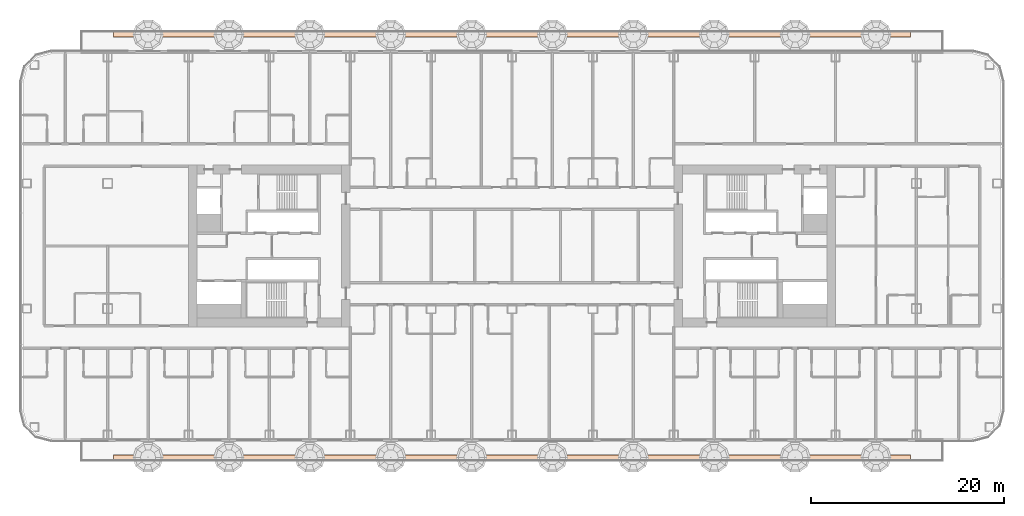
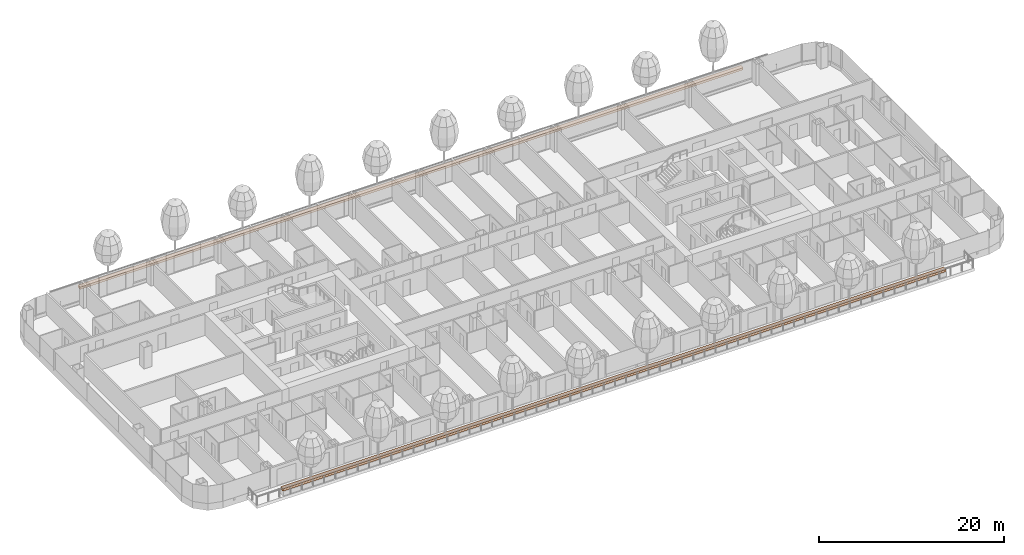
# One storey, part 33 of 37: 2 geographic elements.
"""IFC4 building model written with IfcOpenShell, lengths in metres."""

from ifc_helpers import new_model, si_unit, direction, frame, origin, origin_2d, place, context, subcontext, project, spatial, rectangle, extrude, material, type_object, element, save


model = new_model("IFC4")

# Units and contexts
model_context = context("Model", 3, precision=1e-05, world=origin(), true_north=direction((0.0, 1.0)))
body_context = subcontext(model_context, "Body", "Model", "MODEL_VIEW")
ifc_project = project(units=[si_unit("LENGTHUNIT", "METRE"), si_unit("AREAUNIT", "SQUARE_METRE"), si_unit("VOLUMEUNIT", "CUBIC_METRE"), si_unit("PLANEANGLEUNIT", "RADIAN"), si_unit("MASSUNIT", "GRAM", prefix="KILO")], contexts=[model_context])

# Site, building, storey
site_placement = place(None, origin())
site = spatial("IfcSite", under=ifc_project, at=site_placement, CompositionType="ELEMENT")
building_placement = place(site_placement, origin())
building = spatial("IfcBuilding", under=site, at=building_placement, Name="Hakoniwa Tower and Hamabe Station Hall", CompositionType="ELEMENT")
storey_placement = place(building_placement, frame((0.0, 0.0, 39.0)))
storey = spatial("IfcBuildingStorey", under=building, at=storey_placement, Name="L10", CompositionType="ELEMENT", Elevation=39.0)

# Geographic elements
ifc_material = material(Name="Shrub planting")
geographic_element_type = type_object("IfcGeographicElementType", Name="Shrub planting bed 500x300", PredefinedType="USERDEFINED", material=ifc_material)
for number, where, z_axis, x_axis, name in (
    (1, (0.0, 21.949951171875, 0.60009765625), (0.0, 0.0, 1.0), (1.0, 0.0, 0.0), "Shrub planting bed 500x300"),
    (2, (0.0, -21.949951171875, 0.60009765625), (0.0, 0.0, 1.0), (1.0, 0.0, 0.0), "Shrub planting bed 500x300"),
):
    element("IfcGeographicElement", number, at=place(storey_placement, frame(where, z_axis=z_axis, x_axis=x_axis)), inside=storey, type_object=geographic_element_type, Name=name, ObjectType="PLANTING", PredefinedType="USERDEFINED", context=body_context, shape_type="SweptSolid", body=[
        extrude(rectangle(XDim=82.800048828125, YDim=0.5, at=origin_2d()), origin(), (0.0, 0.0, 1.0), 0.300048828125),
    ])

save(model, "model.ifc")
